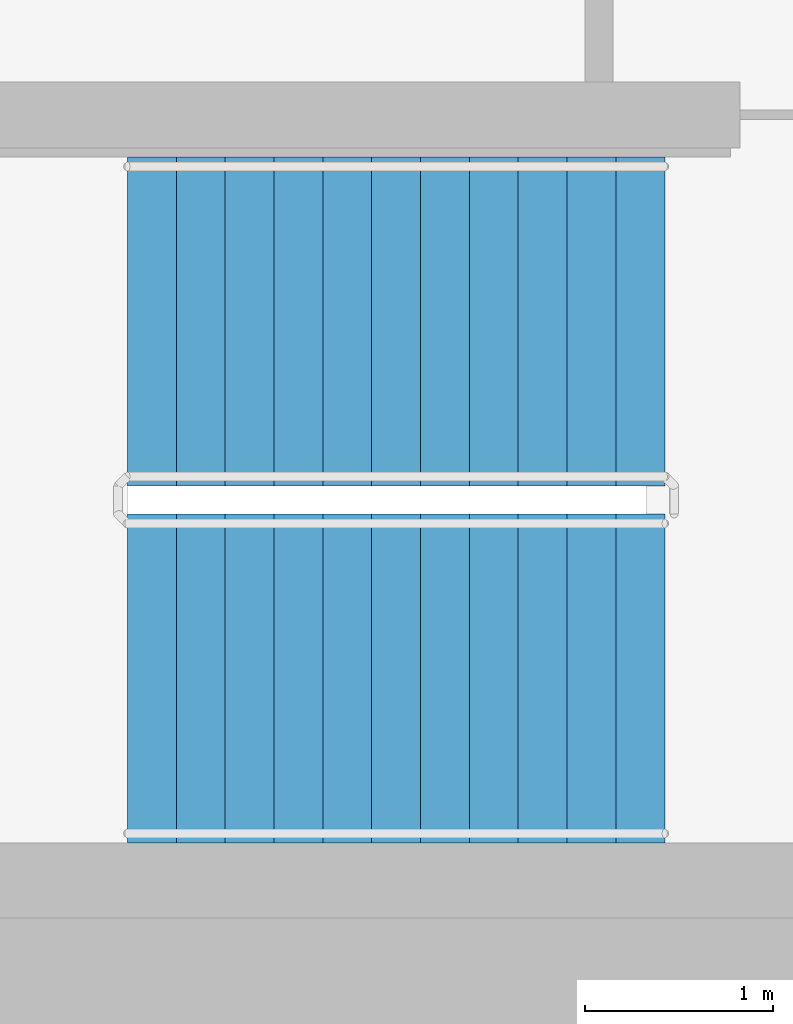
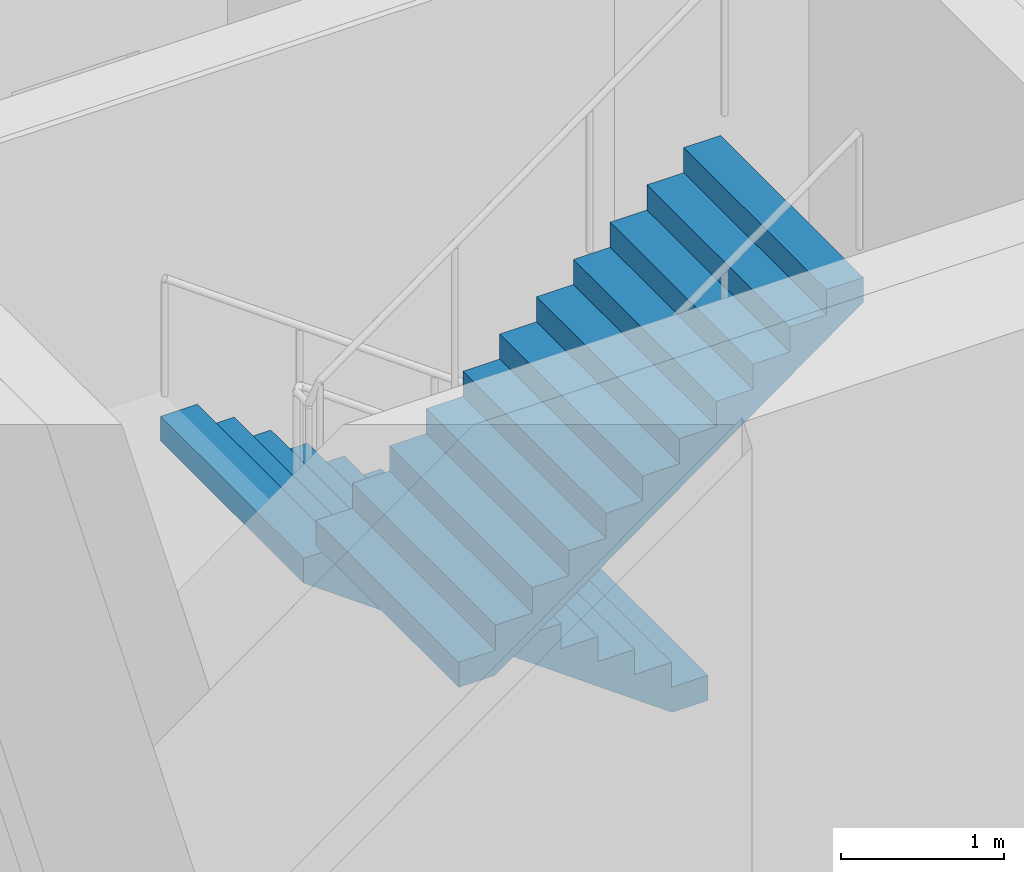
# One storey, part 18 of 26: 2 stair flights, 1 element without a shape of its own.
"""IFC4 building model written with IfcOpenShell, lengths in metres."""

from ifc_helpers import new_model, si_unit, direction, frame, origin, place, context, subcontext, project, spatial, faceted_brep, material, type_object, element, aggregate, save


model = new_model("IFC4")

# Units and contexts
model_context = context("Model", 3, precision=1e-05, world=origin(), true_north=direction((0.0, 1.0)))
body_context = subcontext(model_context, "Body", "Model", "MODEL_VIEW")
ifc_project = project(units=[si_unit("LENGTHUNIT", "METRE"), si_unit("AREAUNIT", "SQUARE_METRE"), si_unit("VOLUMEUNIT", "CUBIC_METRE"), si_unit("PLANEANGLEUNIT", "RADIAN"), si_unit("MASSUNIT", "GRAM", prefix="KILO")], contexts=[model_context])

# Site, building, storey
site_placement = place(None, origin())
site = spatial("IfcSite", under=ifc_project, at=site_placement, CompositionType="ELEMENT")
building_placement = place(site_placement, origin())
building = spatial("IfcBuilding", under=site, at=building_placement, Name="Ipe Terrace Towers", CompositionType="ELEMENT")
storey_placement = place(building_placement, frame((0.0, 0.0, 181.300048828125)))
storey = spatial("IfcBuildingStorey", under=building, at=storey_placement, Name="L50", CompositionType="ELEMENT", Elevation=181.300048828125)

# Stair, stair flights
ifc_material_1 = material(Name="Concrete C30/37", Category="concrete")
stair_type = type_object("IfcStairType", Name="Protected exit stair", PredefinedType="HALF_TURN_STAIR", material=ifc_material_1)
stair_placement = place(storey_placement, origin())
stair = element("IfcStair", 1, at=stair_placement, inside=storey, type_object=stair_type, Name="L50 Exit stair T1-C2", PredefinedType="HALF_TURN_STAIR")
ifc_material_2 = material(Name="Concrete C30/37", Category="concrete")
stair_flight_type = type_object("IfcStairFlightType", Name="Exit stair flight 1750", PredefinedType="STRAIGHT", material=ifc_material_2)
stair_flight_1_placement = place(storey_placement, frame((-45.699951171875, -2.77490234375, 0.0), z_axis=(0.0, 0.0, 1.0), x_axis=(-1.0, 0.0, 0.0)))
stair_flight_1 = element("IfcStairFlight", 2, at=stair_flight_1_placement, type_object=stair_flight_type, Name="T1-ST2 flight 1", NumberOfRisers=12, NumberOfTreads=11, PredefinedType="STRAIGHT", RiserHeight=0.1875, TreadLength=0.26, context=body_context, shape_type="Brep", body=[
    faceted_brep([(0.25634765625, -0.875, 0.0), (2.860107421875, -0.875, 1.877685546875), (2.860107421875, -0.875, 2.0625), (2.60009765625, -0.875, 2.0625), (2.60009765625, -0.875, 1.875), (2.340087890625, -0.875, 1.875), (2.340087890625, -0.875, 1.6875), (2.080078125, -0.875, 1.6875), (2.080078125, -0.875, 1.5), (1.820068359375, -0.875, 1.5), (1.820068359375, -0.875, 1.3125), (1.56005859375, -0.875, 1.3125), (1.56005859375, -0.875, 1.125), (1.300048828125, -0.875, 1.125), (1.300048828125, -0.875, 0.9375), (1.0400390625, -0.875, 0.9375), (1.0400390625, -0.875, 0.75), (0.780029296875, -0.875, 0.75), (0.780029296875, -0.875, 0.5625), (0.52001953125, -0.875, 0.5625), (0.52001953125, -0.875, 0.375), (0.260009765625, -0.875, 0.375), (0.260009765625, -0.875, 0.1875), (0.0, -0.875, 0.1875), (0.0, -0.875, 0.0), (0.0, 0.875, 0.0), (0.0, 0.875, 0.1875), (0.260009765625, 0.875, 0.1875), (0.260009765625, 0.875, 0.375), (0.52001953125, 0.875, 0.375), (0.52001953125, 0.875, 0.5625), (0.780029296875, 0.875, 0.5625), (0.780029296875, 0.875, 0.75), (1.0400390625, 0.875, 0.75), (1.0400390625, 0.875, 0.9375), (1.300048828125, 0.875, 0.9375), (1.300048828125, 0.875, 1.125), (1.56005859375, 0.875, 1.125), (1.56005859375, 0.875, 1.3125), (1.820068359375, 0.875, 1.3125), (1.820068359375, 0.875, 1.5), (2.080078125, 0.875, 1.5), (2.080078125, 0.875, 1.6875), (2.340087890625, 0.875, 1.6875), (2.340087890625, 0.875, 1.875), (2.60009765625, 0.875, 1.875), (2.60009765625, 0.875, 2.0625), (2.860107421875, 0.875, 2.0625), (2.860107421875, 0.875, 1.877685546875), (0.25634765625, 0.875, 0.0), (0.0, -0.300048828125, 0.1875), (0.0, -0.1201171875, 0.1875), (0.0, -0.06005859375, 0.1875), (0.0, -0.030029296875, 0.1875), (0.0, -0.010009765625, 0.1875), (0.0, 0.0, 0.1875), (0.0, 0.010009765625, 0.1875), (0.0, 0.030029296875, 0.1875), (0.0, 0.06005859375, 0.1875), (0.0, 0.1201171875, 0.1875), (0.0, 0.300048828125, 0.1875), (0.0, 0.300048828125, 0.0), (0.0, 0.1201171875, 0.0), (0.0, 0.06005859375, 0.0), (0.0, 0.030029296875, 0.0), (0.0, 0.010009765625, 0.0), (0.0, 0.0, 0.0), (0.0, -0.010009765625, 0.0), (0.0, -0.030029296875, 0.0), (0.0, -0.06005859375, 0.0), (0.0, -0.1201171875, 0.0), (0.0, -0.300048828125, 0.0), (0.260009765625, -0.300048828125, 0.1875), (0.260009765625, -0.1201171875, 0.1875), (0.260009765625, -0.06005859375, 0.1875), (0.260009765625, -0.030029296875, 0.1875), (0.260009765625, -0.010009765625, 0.1875), (0.260009765625, 0.0, 0.1875), (0.260009765625, 0.010009765625, 0.1875), (0.260009765625, 0.030029296875, 0.1875), (0.260009765625, 0.06005859375, 0.1875), (0.260009765625, 0.1201171875, 0.1875), (0.260009765625, 0.300048828125, 0.1875), (0.260009765625, -0.300048828125, 0.375), (0.260009765625, -0.1201171875, 0.375), (0.260009765625, -0.06005859375, 0.375), (0.260009765625, -0.030029296875, 0.375), (0.260009765625, -0.010009765625, 0.375), (0.260009765625, 0.0, 0.375), (0.260009765625, 0.010009765625, 0.375), (0.260009765625, 0.030029296875, 0.375), (0.260009765625, 0.06005859375, 0.375), (0.260009765625, 0.1201171875, 0.375), (0.260009765625, 0.300048828125, 0.375), (0.52001953125, -0.300048828125, 0.375), (0.52001953125, -0.1201171875, 0.375), (0.52001953125, -0.06005859375, 0.375), (0.52001953125, -0.030029296875, 0.375), (0.52001953125, -0.010009765625, 0.375), (0.52001953125, 0.0, 0.375), (0.52001953125, 0.010009765625, 0.375), (0.52001953125, 0.030029296875, 0.375), (0.52001953125, 0.06005859375, 0.375), (0.52001953125, 0.1201171875, 0.375), (0.52001953125, 0.300048828125, 0.375), (0.52001953125, -0.300048828125, 0.5625), (0.52001953125, -0.1201171875, 0.5625), (0.52001953125, -0.06005859375, 0.5625), (0.52001953125, -0.030029296875, 0.5625), (0.52001953125, -0.010009765625, 0.5625), (0.52001953125, 0.0, 0.5625), (0.52001953125, 0.010009765625, 0.5625), (0.52001953125, 0.030029296875, 0.5625), (0.52001953125, 0.06005859375, 0.5625), (0.52001953125, 0.1201171875, 0.5625), (0.52001953125, 0.300048828125, 0.5625), (0.780029296875, -0.300048828125, 0.5625), (0.780029296875, -0.1201171875, 0.5625), (0.780029296875, -0.06005859375, 0.5625), (0.780029296875, -0.030029296875, 0.5625), (0.780029296875, -0.010009765625, 0.5625), (0.780029296875, 0.0, 0.5625), (0.780029296875, 0.010009765625, 0.5625), (0.780029296875, 0.030029296875, 0.5625), (0.780029296875, 0.06005859375, 0.5625), (0.780029296875, 0.1201171875, 0.5625), (0.780029296875, 0.300048828125, 0.5625), (0.780029296875, -0.300048828125, 0.75), (0.780029296875, -0.1201171875, 0.75), (0.780029296875, -0.06005859375, 0.75), (0.780029296875, -0.030029296875, 0.75), (0.780029296875, -0.010009765625, 0.75), (0.780029296875, 0.0, 0.75), (0.780029296875, 0.010009765625, 0.75), (0.780029296875, 0.030029296875, 0.75), (0.780029296875, 0.06005859375, 0.75), (0.780029296875, 0.1201171875, 0.75), (0.780029296875, 0.300048828125, 0.75), (1.0400390625, -0.300048828125, 0.75), (1.0400390625, -0.1201171875, 0.75), (1.0400390625, -0.06005859375, 0.75), (1.0400390625, -0.030029296875, 0.75), (1.0400390625, -0.010009765625, 0.75), (1.0400390625, 0.0, 0.75), (1.0400390625, 0.010009765625, 0.75), (1.0400390625, 0.030029296875, 0.75), (1.0400390625, 0.06005859375, 0.75), (1.0400390625, 0.1201171875, 0.75), (1.0400390625, 0.300048828125, 0.75), (1.0400390625, -0.300048828125, 0.9375), (1.0400390625, -0.1201171875, 0.9375), (1.0400390625, -0.06005859375, 0.9375), (1.0400390625, -0.030029296875, 0.9375), (1.0400390625, -0.010009765625, 0.9375), (1.0400390625, 0.0, 0.9375), (1.0400390625, 0.010009765625, 0.9375), (1.0400390625, 0.030029296875, 0.9375), (1.0400390625, 0.06005859375, 0.9375), (1.0400390625, 0.1201171875, 0.9375), (1.0400390625, 0.300048828125, 0.9375), (1.300048828125, -0.300048828125, 0.9375), (1.300048828125, -0.1201171875, 0.9375), (1.300048828125, -0.06005859375, 0.9375), (1.300048828125, -0.030029296875, 0.9375), (1.300048828125, -0.010009765625, 0.9375), (1.300048828125, 0.0, 0.9375), (1.300048828125, 0.010009765625, 0.9375), (1.300048828125, 0.030029296875, 0.9375), (1.300048828125, 0.06005859375, 0.9375), (1.300048828125, 0.1201171875, 0.9375), (1.300048828125, 0.300048828125, 0.9375), (1.300048828125, -0.300048828125, 1.125), (1.300048828125, -0.1201171875, 1.125), (1.300048828125, -0.06005859375, 1.125), (1.300048828125, -0.030029296875, 1.125), (1.300048828125, -0.010009765625, 1.125), (1.300048828125, 0.0, 1.125), (1.300048828125, 0.010009765625, 1.125), (1.300048828125, 0.030029296875, 1.125), (1.300048828125, 0.06005859375, 1.125), (1.300048828125, 0.1201171875, 1.125), (1.300048828125, 0.300048828125, 1.125), (1.56005859375, -0.300048828125, 1.125), (1.56005859375, -0.1201171875, 1.125), (1.56005859375, -0.06005859375, 1.125), (1.56005859375, -0.030029296875, 1.125), (1.56005859375, -0.010009765625, 1.125), (1.56005859375, 0.0, 1.125), (1.56005859375, 0.010009765625, 1.125), (1.56005859375, 0.030029296875, 1.125), (1.56005859375, 0.06005859375, 1.125), (1.56005859375, 0.1201171875, 1.125), (1.56005859375, 0.300048828125, 1.125), (1.56005859375, -0.300048828125, 1.3125), (1.56005859375, -0.1201171875, 1.3125), (1.56005859375, -0.06005859375, 1.3125), (1.56005859375, -0.030029296875, 1.3125), (1.56005859375, -0.010009765625, 1.3125), (1.56005859375, 0.0, 1.3125), (1.56005859375, 0.010009765625, 1.3125), (1.56005859375, 0.030029296875, 1.3125), (1.56005859375, 0.06005859375, 1.3125), (1.56005859375, 0.1201171875, 1.3125), (1.56005859375, 0.300048828125, 1.3125), (1.820068359375, -0.300048828125, 1.3125), (1.820068359375, -0.1201171875, 1.3125), (1.820068359375, -0.06005859375, 1.3125), (1.820068359375, -0.030029296875, 1.3125), (1.820068359375, -0.010009765625, 1.3125), (1.820068359375, 0.0, 1.3125), (1.820068359375, 0.010009765625, 1.3125), (1.820068359375, 0.030029296875, 1.3125), (1.820068359375, 0.06005859375, 1.3125), (1.820068359375, 0.1201171875, 1.3125), (1.820068359375, 0.300048828125, 1.3125), (1.820068359375, -0.300048828125, 1.5), (1.820068359375, -0.1201171875, 1.5), (1.820068359375, -0.06005859375, 1.5), (1.820068359375, -0.030029296875, 1.5), (1.820068359375, -0.010009765625, 1.5), (1.820068359375, 0.0, 1.5), (1.820068359375, 0.010009765625, 1.5), (1.820068359375, 0.030029296875, 1.5), (1.820068359375, 0.06005859375, 1.5), (1.820068359375, 0.1201171875, 1.5), (1.820068359375, 0.300048828125, 1.5), (2.080078125, -0.300048828125, 1.5), (2.080078125, -0.1201171875, 1.5), (2.080078125, -0.06005859375, 1.5), (2.080078125, -0.030029296875, 1.5), (2.080078125, -0.010009765625, 1.5), (2.080078125, 0.0, 1.5), (2.080078125, 0.010009765625, 1.5), (2.080078125, 0.030029296875, 1.5), (2.080078125, 0.06005859375, 1.5), (2.080078125, 0.1201171875, 1.5), (2.080078125, 0.300048828125, 1.5), (2.080078125, -0.300048828125, 1.6875), (2.080078125, -0.1201171875, 1.6875), (2.080078125, -0.06005859375, 1.6875), (2.080078125, -0.030029296875, 1.6875), (2.080078125, -0.010009765625, 1.6875), (2.080078125, 0.0, 1.6875), (2.080078125, 0.010009765625, 1.6875), (2.080078125, 0.030029296875, 1.6875), (2.080078125, 0.06005859375, 1.6875), (2.080078125, 0.1201171875, 1.6875), (2.080078125, 0.300048828125, 1.6875), (2.340087890625, -0.300048828125, 1.6875), (2.340087890625, -0.1201171875, 1.6875), (2.340087890625, -0.06005859375, 1.6875), (2.340087890625, -0.030029296875, 1.6875), (2.340087890625, -0.010009765625, 1.6875), (2.340087890625, 0.0, 1.6875), (2.340087890625, 0.010009765625, 1.6875), (2.340087890625, 0.030029296875, 1.6875), (2.340087890625, 0.06005859375, 1.6875), (2.340087890625, 0.1201171875, 1.6875), (2.340087890625, 0.300048828125, 1.6875), (2.340087890625, -0.300048828125, 1.875), (2.340087890625, -0.1201171875, 1.875), (2.340087890625, -0.06005859375, 1.875), (2.340087890625, -0.030029296875, 1.875), (2.340087890625, -0.010009765625, 1.875), (2.340087890625, 0.0, 1.875), (2.340087890625, 0.010009765625, 1.875), (2.340087890625, 0.030029296875, 1.875), (2.340087890625, 0.06005859375, 1.875), (2.340087890625, 0.1201171875, 1.875), (2.340087890625, 0.300048828125, 1.875), (2.60009765625, -0.300048828125, 1.875), (2.60009765625, -0.1201171875, 1.875), (2.60009765625, -0.06005859375, 1.875), (2.60009765625, -0.030029296875, 1.875), (2.60009765625, -0.010009765625, 1.875), (2.60009765625, 0.0, 1.875), (2.60009765625, 0.010009765625, 1.875), (2.60009765625, 0.030029296875, 1.875), (2.60009765625, 0.06005859375, 1.875), (2.60009765625, 0.1201171875, 1.875), (2.60009765625, 0.300048828125, 1.875), (2.60009765625, -0.300048828125, 2.0625), (2.60009765625, -0.1201171875, 2.0625), (2.60009765625, -0.06005859375, 2.0625), (2.60009765625, -0.030029296875, 2.0625), (2.60009765625, -0.010009765625, 2.0625), (2.60009765625, 0.0, 2.0625), (2.60009765625, 0.010009765625, 2.0625), (2.60009765625, 0.030029296875, 2.0625), (2.60009765625, 0.06005859375, 2.0625), (2.60009765625, 0.1201171875, 2.0625), (2.60009765625, 0.300048828125, 2.0625), (2.860107421875, -0.300048828125, 2.0625), (2.860107421875, -0.1201171875, 2.0625), (2.860107421875, -0.06005859375, 2.0625), (2.860107421875, -0.030029296875, 2.0625), (2.860107421875, -0.010009765625, 2.0625), (2.860107421875, 0.0, 2.0625), (2.860107421875, 0.010009765625, 2.0625), (2.860107421875, 0.030029296875, 2.0625), (2.860107421875, 0.06005859375, 2.0625), (2.860107421875, 0.1201171875, 2.0625), (2.860107421875, 0.300048828125, 2.0625), (2.860107421875, -0.300048828125, 1.877685546875), (2.860107421875, -0.1201171875, 1.877685546875), (2.860107421875, -0.06005859375, 1.877685546875), (2.860107421875, -0.030029296875, 1.877685546875), (2.860107421875, -0.010009765625, 1.877685546875), (2.860107421875, 0.0, 1.877685546875), (2.860107421875, 0.010009765625, 1.877685546875), (2.860107421875, 0.030029296875, 1.877685546875), (2.860107421875, 0.06005859375, 1.877685546875), (2.860107421875, 0.1201171875, 1.877685546875), (2.860107421875, 0.300048828125, 1.877685546875), (0.25634765625, -0.300048828125, 0.0), (0.25634765625, -0.1201171875, 0.0), (0.25634765625, -0.06005859375, 0.0), (0.25634765625, -0.030029296875, 0.0), (0.25634765625, -0.010009765625, 0.0), (0.25634765625, 0.0, 0.0), (0.25634765625, 0.010009765625, 0.0), (0.25634765625, 0.030029296875, 0.0), (0.25634765625, 0.06005859375, 0.0), (0.25634765625, 0.1201171875, 0.0), (0.25634765625, 0.300048828125, 0.0)], [[[0, 1, 2, 3, 4, 5, 6, 7, 8, 9, 10, 11, 12, 13, 14, 15, 16, 17, 18, 19, 20, 21, 22, 23, 24]], [[25, 26, 27, 28, 29, 30, 31, 32, 33, 34, 35, 36, 37, 38, 39, 40, 41, 42, 43, 44, 45, 46, 47, 48, 49]], [[23, 50, 51, 52, 53, 54, 55, 56, 57, 58, 59, 60, 26, 25, 61, 62, 63, 64, 65, 66, 67, 68, 69, 70, 71, 24]], [[22, 72, 73, 74, 75, 76, 77, 78, 79, 80, 81, 82, 27, 26, 60, 59, 58, 57, 56, 55, 54, 53, 52, 51, 50, 23]], [[21, 83, 84, 85, 86, 87, 88, 89, 90, 91, 92, 93, 28, 27, 82, 81, 80, 79, 78, 77, 76, 75, 74, 73, 72, 22]], [[20, 94, 95, 96, 97, 98, 99, 100, 101, 102, 103, 104, 29, 28, 93, 92, 91, 90, 89, 88, 87, 86, 85, 84, 83, 21]], [[19, 105, 106, 107, 108, 109, 110, 111, 112, 113, 114, 115, 30, 29, 104, 103, 102, 101, 100, 99, 98, 97, 96, 95, 94, 20]], [[18, 116, 117, 118, 119, 120, 121, 122, 123, 124, 125, 126, 31, 30, 115, 114, 113, 112, 111, 110, 109, 108, 107, 106, 105, 19]], [[17, 127, 128, 129, 130, 131, 132, 133, 134, 135, 136, 137, 32, 31, 126, 125, 124, 123, 122, 121, 120, 119, 118, 117, 116, 18]], [[16, 138, 139, 140, 141, 142, 143, 144, 145, 146, 147, 148, 33, 32, 137, 136, 135, 134, 133, 132, 131, 130, 129, 128, 127, 17]], [[15, 149, 150, 151, 152, 153, 154, 155, 156, 157, 158, 159, 34, 33, 148, 147, 146, 145, 144, 143, 142, 141, 140, 139, 138, 16]], [[14, 160, 161, 162, 163, 164, 165, 166, 167, 168, 169, 170, 35, 34, 159, 158, 157, 156, 155, 154, 153, 152, 151, 150, 149, 15]], [[13, 171, 172, 173, 174, 175, 176, 177, 178, 179, 180, 181, 36, 35, 170, 169, 168, 167, 166, 165, 164, 163, 162, 161, 160, 14]], [[12, 182, 183, 184, 185, 186, 187, 188, 189, 190, 191, 192, 37, 36, 181, 180, 179, 178, 177, 176, 175, 174, 173, 172, 171, 13]], [[11, 193, 194, 195, 196, 197, 198, 199, 200, 201, 202, 203, 38, 37, 192, 191, 190, 189, 188, 187, 186, 185, 184, 183, 182, 12]], [[10, 204, 205, 206, 207, 208, 209, 210, 211, 212, 213, 214, 39, 38, 203, 202, 201, 200, 199, 198, 197, 196, 195, 194, 193, 11]], [[9, 215, 216, 217, 218, 219, 220, 221, 222, 223, 224, 225, 40, 39, 214, 213, 212, 211, 210, 209, 208, 207, 206, 205, 204, 10]], [[8, 226, 227, 228, 229, 230, 231, 232, 233, 234, 235, 236, 41, 40, 225, 224, 223, 222, 221, 220, 219, 218, 217, 216, 215, 9]], [[7, 237, 238, 239, 240, 241, 242, 243, 244, 245, 246, 247, 42, 41, 236, 235, 234, 233, 232, 231, 230, 229, 228, 227, 226, 8]], [[6, 248, 249, 250, 251, 252, 253, 254, 255, 256, 257, 258, 43, 42, 247, 246, 245, 244, 243, 242, 241, 240, 239, 238, 237, 7]], [[5, 259, 260, 261, 262, 263, 264, 265, 266, 267, 268, 269, 44, 43, 258, 257, 256, 255, 254, 253, 252, 251, 250, 249, 248, 6]], [[4, 270, 271, 272, 273, 274, 275, 276, 277, 278, 279, 280, 45, 44, 269, 268, 267, 266, 265, 264, 263, 262, 261, 260, 259, 5]], [[3, 281, 282, 283, 284, 285, 286, 287, 288, 289, 290, 291, 46, 45, 280, 279, 278, 277, 276, 275, 274, 273, 272, 271, 270, 4]], [[2, 292, 293, 294, 295, 296, 297, 298, 299, 300, 301, 302, 47, 46, 291, 290, 289, 288, 287, 286, 285, 284, 283, 282, 281, 3]], [[1, 303, 304, 305, 306, 307, 308, 309, 310, 311, 312, 313, 48, 47, 302, 301, 300, 299, 298, 297, 296, 295, 294, 293, 292, 2]], [[0, 314, 315, 316, 317, 318, 319, 320, 321, 322, 323, 324, 49, 48, 313, 312, 311, 310, 309, 308, 307, 306, 305, 304, 303, 1]], [[24, 71, 70, 69, 68, 67, 66, 65, 64, 63, 62, 61, 25, 49, 324, 323, 322, 321, 320, 319, 318, 317, 316, 315, 314, 0]]]),
])
stair_flight_2_placement = place(storey_placement, frame((-48.56005859375, -4.675048828125, 2.25), z_axis=(0.0, 0.0, 1.0), x_axis=(1.0, 0.0, 0.0)))
stair_flight_2 = element("IfcStairFlight", 3, at=stair_flight_2_placement, type_object=stair_flight_type, Name="T1-ST2 flight 2", NumberOfRisers=12, NumberOfTreads=11, PredefinedType="STRAIGHT", RiserHeight=0.1875, TreadLength=0.26, context=body_context, shape_type="Brep", body=[
    faceted_brep([(0.25634765625, -0.875, 0.0), (2.860107421875, -0.875, 1.877685546875), (2.860107421875, -0.875, 2.0625), (2.60009765625, -0.875, 2.0625), (2.60009765625, -0.875, 1.875), (2.340087890625, -0.875, 1.875), (2.340087890625, -0.875, 1.6875), (2.080078125, -0.875, 1.6875), (2.080078125, -0.875, 1.5), (1.820068359375, -0.875, 1.5), (1.820068359375, -0.875, 1.3125), (1.56005859375, -0.875, 1.3125), (1.56005859375, -0.875, 1.125), (1.300048828125, -0.875, 1.125), (1.300048828125, -0.875, 0.9375), (1.0400390625, -0.875, 0.9375), (1.0400390625, -0.875, 0.75), (0.780029296875, -0.875, 0.75), (0.780029296875, -0.875, 0.5625), (0.52001953125, -0.875, 0.5625), (0.52001953125, -0.875, 0.375), (0.260009765625, -0.875, 0.375), (0.260009765625, -0.875, 0.1875), (0.0, -0.875, 0.1875), (0.0, -0.875, 0.0), (0.0, 0.875, 0.0), (0.0, 0.875, 0.1875), (0.260009765625, 0.875, 0.1875), (0.260009765625, 0.875, 0.375), (0.52001953125, 0.875, 0.375), (0.52001953125, 0.875, 0.5625), (0.780029296875, 0.875, 0.5625), (0.780029296875, 0.875, 0.75), (1.0400390625, 0.875, 0.75), (1.0400390625, 0.875, 0.9375), (1.300048828125, 0.875, 0.9375), (1.300048828125, 0.875, 1.125), (1.56005859375, 0.875, 1.125), (1.56005859375, 0.875, 1.3125), (1.820068359375, 0.875, 1.3125), (1.820068359375, 0.875, 1.5), (2.080078125, 0.875, 1.5), (2.080078125, 0.875, 1.6875), (2.340087890625, 0.875, 1.6875), (2.340087890625, 0.875, 1.875), (2.60009765625, 0.875, 1.875), (2.60009765625, 0.875, 2.0625), (2.860107421875, 0.875, 2.0625), (2.860107421875, 0.875, 1.877685546875), (0.25634765625, 0.875, 0.0), (0.0, -0.300048828125, 0.1875), (0.0, -0.1201171875, 0.1875), (0.0, -0.06005859375, 0.1875), (0.0, -0.030029296875, 0.1875), (0.0, -0.010009765625, 0.1875), (0.0, 0.0, 0.1875), (0.0, 0.010009765625, 0.1875), (0.0, 0.030029296875, 0.1875), (0.0, 0.06005859375, 0.1875), (0.0, 0.1201171875, 0.1875), (0.0, 0.300048828125, 0.1875), (0.0, 0.300048828125, 0.0), (0.0, 0.1201171875, 0.0), (0.0, 0.06005859375, 0.0), (0.0, 0.030029296875, 0.0), (0.0, 0.010009765625, 0.0), (0.0, 0.0, 0.0), (0.0, -0.010009765625, 0.0), (0.0, -0.030029296875, 0.0), (0.0, -0.06005859375, 0.0), (0.0, -0.1201171875, 0.0), (0.0, -0.300048828125, 0.0), (0.260009765625, -0.300048828125, 0.1875), (0.260009765625, -0.1201171875, 0.1875), (0.260009765625, -0.06005859375, 0.1875), (0.260009765625, -0.030029296875, 0.1875), (0.260009765625, -0.010009765625, 0.1875), (0.260009765625, 0.0, 0.1875), (0.260009765625, 0.010009765625, 0.1875), (0.260009765625, 0.030029296875, 0.1875), (0.260009765625, 0.06005859375, 0.1875), (0.260009765625, 0.1201171875, 0.1875), (0.260009765625, 0.300048828125, 0.1875), (0.260009765625, -0.300048828125, 0.375), (0.260009765625, -0.1201171875, 0.375), (0.260009765625, -0.06005859375, 0.375), (0.260009765625, -0.030029296875, 0.375), (0.260009765625, -0.010009765625, 0.375), (0.260009765625, 0.0, 0.375), (0.260009765625, 0.010009765625, 0.375), (0.260009765625, 0.030029296875, 0.375), (0.260009765625, 0.06005859375, 0.375), (0.260009765625, 0.1201171875, 0.375), (0.260009765625, 0.300048828125, 0.375), (0.52001953125, -0.300048828125, 0.375), (0.52001953125, -0.1201171875, 0.375), (0.52001953125, -0.06005859375, 0.375), (0.52001953125, -0.030029296875, 0.375), (0.52001953125, -0.010009765625, 0.375), (0.52001953125, 0.0, 0.375), (0.52001953125, 0.010009765625, 0.375), (0.52001953125, 0.030029296875, 0.375), (0.52001953125, 0.06005859375, 0.375), (0.52001953125, 0.1201171875, 0.375), (0.52001953125, 0.300048828125, 0.375), (0.52001953125, -0.300048828125, 0.5625), (0.52001953125, -0.1201171875, 0.5625), (0.52001953125, -0.06005859375, 0.5625), (0.52001953125, -0.030029296875, 0.5625), (0.52001953125, -0.010009765625, 0.5625), (0.52001953125, 0.0, 0.5625), (0.52001953125, 0.010009765625, 0.5625), (0.52001953125, 0.030029296875, 0.5625), (0.52001953125, 0.06005859375, 0.5625), (0.52001953125, 0.1201171875, 0.5625), (0.52001953125, 0.300048828125, 0.5625), (0.780029296875, -0.300048828125, 0.5625), (0.780029296875, -0.1201171875, 0.5625), (0.780029296875, -0.06005859375, 0.5625), (0.780029296875, -0.030029296875, 0.5625), (0.780029296875, -0.010009765625, 0.5625), (0.780029296875, 0.0, 0.5625), (0.780029296875, 0.010009765625, 0.5625), (0.780029296875, 0.030029296875, 0.5625), (0.780029296875, 0.06005859375, 0.5625), (0.780029296875, 0.1201171875, 0.5625), (0.780029296875, 0.300048828125, 0.5625), (0.780029296875, -0.300048828125, 0.75), (0.780029296875, -0.1201171875, 0.75), (0.780029296875, -0.06005859375, 0.75), (0.780029296875, -0.030029296875, 0.75), (0.780029296875, -0.010009765625, 0.75), (0.780029296875, 0.0, 0.75), (0.780029296875, 0.010009765625, 0.75), (0.780029296875, 0.030029296875, 0.75), (0.780029296875, 0.06005859375, 0.75), (0.780029296875, 0.1201171875, 0.75), (0.780029296875, 0.300048828125, 0.75), (1.0400390625, -0.300048828125, 0.75), (1.0400390625, -0.1201171875, 0.75), (1.0400390625, -0.06005859375, 0.75), (1.0400390625, -0.030029296875, 0.75), (1.0400390625, -0.010009765625, 0.75), (1.0400390625, 0.0, 0.75), (1.0400390625, 0.010009765625, 0.75), (1.0400390625, 0.030029296875, 0.75), (1.0400390625, 0.06005859375, 0.75), (1.0400390625, 0.1201171875, 0.75), (1.0400390625, 0.300048828125, 0.75), (1.0400390625, -0.300048828125, 0.9375), (1.0400390625, -0.1201171875, 0.9375), (1.0400390625, -0.06005859375, 0.9375), (1.0400390625, -0.030029296875, 0.9375), (1.0400390625, -0.010009765625, 0.9375), (1.0400390625, 0.0, 0.9375), (1.0400390625, 0.010009765625, 0.9375), (1.0400390625, 0.030029296875, 0.9375), (1.0400390625, 0.06005859375, 0.9375), (1.0400390625, 0.1201171875, 0.9375), (1.0400390625, 0.300048828125, 0.9375), (1.300048828125, -0.300048828125, 0.9375), (1.300048828125, -0.1201171875, 0.9375), (1.300048828125, -0.06005859375, 0.9375), (1.300048828125, -0.030029296875, 0.9375), (1.300048828125, -0.010009765625, 0.9375), (1.300048828125, 0.0, 0.9375), (1.300048828125, 0.010009765625, 0.9375), (1.300048828125, 0.030029296875, 0.9375), (1.300048828125, 0.06005859375, 0.9375), (1.300048828125, 0.1201171875, 0.9375), (1.300048828125, 0.300048828125, 0.9375), (1.300048828125, -0.300048828125, 1.125), (1.300048828125, -0.1201171875, 1.125), (1.300048828125, -0.06005859375, 1.125), (1.300048828125, -0.030029296875, 1.125), (1.300048828125, -0.010009765625, 1.125), (1.300048828125, 0.0, 1.125), (1.300048828125, 0.010009765625, 1.125), (1.300048828125, 0.030029296875, 1.125), (1.300048828125, 0.06005859375, 1.125), (1.300048828125, 0.1201171875, 1.125), (1.300048828125, 0.300048828125, 1.125), (1.56005859375, -0.300048828125, 1.125), (1.56005859375, -0.1201171875, 1.125), (1.56005859375, -0.06005859375, 1.125), (1.56005859375, -0.030029296875, 1.125), (1.56005859375, -0.010009765625, 1.125), (1.56005859375, 0.0, 1.125), (1.56005859375, 0.010009765625, 1.125), (1.56005859375, 0.030029296875, 1.125), (1.56005859375, 0.06005859375, 1.125), (1.56005859375, 0.1201171875, 1.125), (1.56005859375, 0.300048828125, 1.125), (1.56005859375, -0.300048828125, 1.3125), (1.56005859375, -0.1201171875, 1.3125), (1.56005859375, -0.06005859375, 1.3125), (1.56005859375, -0.030029296875, 1.3125), (1.56005859375, -0.010009765625, 1.3125), (1.56005859375, 0.0, 1.3125), (1.56005859375, 0.010009765625, 1.3125), (1.56005859375, 0.030029296875, 1.3125), (1.56005859375, 0.06005859375, 1.3125), (1.56005859375, 0.1201171875, 1.3125), (1.56005859375, 0.300048828125, 1.3125), (1.820068359375, -0.300048828125, 1.3125), (1.820068359375, -0.1201171875, 1.3125), (1.820068359375, -0.06005859375, 1.3125), (1.820068359375, -0.030029296875, 1.3125), (1.820068359375, -0.010009765625, 1.3125), (1.820068359375, 0.0, 1.3125), (1.820068359375, 0.010009765625, 1.3125), (1.820068359375, 0.030029296875, 1.3125), (1.820068359375, 0.06005859375, 1.3125), (1.820068359375, 0.1201171875, 1.3125), (1.820068359375, 0.300048828125, 1.3125), (1.820068359375, -0.300048828125, 1.5), (1.820068359375, -0.1201171875, 1.5), (1.820068359375, -0.06005859375, 1.5), (1.820068359375, -0.030029296875, 1.5), (1.820068359375, -0.010009765625, 1.5), (1.820068359375, 0.0, 1.5), (1.820068359375, 0.010009765625, 1.5), (1.820068359375, 0.030029296875, 1.5), (1.820068359375, 0.06005859375, 1.5), (1.820068359375, 0.1201171875, 1.5), (1.820068359375, 0.300048828125, 1.5), (2.080078125, -0.300048828125, 1.5), (2.080078125, -0.1201171875, 1.5), (2.080078125, -0.06005859375, 1.5), (2.080078125, -0.030029296875, 1.5), (2.080078125, -0.010009765625, 1.5), (2.080078125, 0.0, 1.5), (2.080078125, 0.010009765625, 1.5), (2.080078125, 0.030029296875, 1.5), (2.080078125, 0.06005859375, 1.5), (2.080078125, 0.1201171875, 1.5), (2.080078125, 0.300048828125, 1.5), (2.080078125, -0.300048828125, 1.6875), (2.080078125, -0.1201171875, 1.6875), (2.080078125, -0.06005859375, 1.6875), (2.080078125, -0.030029296875, 1.6875), (2.080078125, -0.010009765625, 1.6875), (2.080078125, 0.0, 1.6875), (2.080078125, 0.010009765625, 1.6875), (2.080078125, 0.030029296875, 1.6875), (2.080078125, 0.06005859375, 1.6875), (2.080078125, 0.1201171875, 1.6875), (2.080078125, 0.300048828125, 1.6875), (2.340087890625, -0.300048828125, 1.6875), (2.340087890625, -0.1201171875, 1.6875), (2.340087890625, -0.06005859375, 1.6875), (2.340087890625, -0.030029296875, 1.6875), (2.340087890625, -0.010009765625, 1.6875), (2.340087890625, 0.0, 1.6875), (2.340087890625, 0.010009765625, 1.6875), (2.340087890625, 0.030029296875, 1.6875), (2.340087890625, 0.06005859375, 1.6875), (2.340087890625, 0.1201171875, 1.6875), (2.340087890625, 0.300048828125, 1.6875), (2.340087890625, -0.300048828125, 1.875), (2.340087890625, -0.1201171875, 1.875), (2.340087890625, -0.06005859375, 1.875), (2.340087890625, -0.030029296875, 1.875), (2.340087890625, -0.010009765625, 1.875), (2.340087890625, 0.0, 1.875), (2.340087890625, 0.010009765625, 1.875), (2.340087890625, 0.030029296875, 1.875), (2.340087890625, 0.06005859375, 1.875), (2.340087890625, 0.1201171875, 1.875), (2.340087890625, 0.300048828125, 1.875), (2.60009765625, -0.300048828125, 1.875), (2.60009765625, -0.1201171875, 1.875), (2.60009765625, -0.06005859375, 1.875), (2.60009765625, -0.030029296875, 1.875), (2.60009765625, -0.010009765625, 1.875), (2.60009765625, 0.0, 1.875), (2.60009765625, 0.010009765625, 1.875), (2.60009765625, 0.030029296875, 1.875), (2.60009765625, 0.06005859375, 1.875), (2.60009765625, 0.1201171875, 1.875), (2.60009765625, 0.300048828125, 1.875), (2.60009765625, -0.300048828125, 2.0625), (2.60009765625, -0.1201171875, 2.0625), (2.60009765625, -0.06005859375, 2.0625), (2.60009765625, -0.030029296875, 2.0625), (2.60009765625, -0.010009765625, 2.0625), (2.60009765625, 0.0, 2.0625), (2.60009765625, 0.010009765625, 2.0625), (2.60009765625, 0.030029296875, 2.0625), (2.60009765625, 0.06005859375, 2.0625), (2.60009765625, 0.1201171875, 2.0625), (2.60009765625, 0.300048828125, 2.0625), (2.860107421875, -0.300048828125, 2.0625), (2.860107421875, -0.1201171875, 2.0625), (2.860107421875, -0.06005859375, 2.0625), (2.860107421875, -0.030029296875, 2.0625), (2.860107421875, -0.010009765625, 2.0625), (2.860107421875, 0.0, 2.0625), (2.860107421875, 0.010009765625, 2.0625), (2.860107421875, 0.030029296875, 2.0625), (2.860107421875, 0.06005859375, 2.0625), (2.860107421875, 0.1201171875, 2.0625), (2.860107421875, 0.300048828125, 2.0625), (2.860107421875, -0.300048828125, 1.877685546875), (2.860107421875, -0.1201171875, 1.877685546875), (2.860107421875, -0.06005859375, 1.877685546875), (2.860107421875, -0.030029296875, 1.877685546875), (2.860107421875, -0.010009765625, 1.877685546875), (2.860107421875, 0.0, 1.877685546875), (2.860107421875, 0.010009765625, 1.877685546875), (2.860107421875, 0.030029296875, 1.877685546875), (2.860107421875, 0.06005859375, 1.877685546875), (2.860107421875, 0.1201171875, 1.877685546875), (2.860107421875, 0.300048828125, 1.877685546875), (0.25634765625, -0.300048828125, 0.0), (0.25634765625, -0.1201171875, 0.0), (0.25634765625, -0.06005859375, 0.0), (0.25634765625, -0.030029296875, 0.0), (0.25634765625, -0.010009765625, 0.0), (0.25634765625, 0.0, 0.0), (0.25634765625, 0.010009765625, 0.0), (0.25634765625, 0.030029296875, 0.0), (0.25634765625, 0.06005859375, 0.0), (0.25634765625, 0.1201171875, 0.0), (0.25634765625, 0.300048828125, 0.0)], [[[0, 1, 2, 3, 4, 5, 6, 7, 8, 9, 10, 11, 12, 13, 14, 15, 16, 17, 18, 19, 20, 21, 22, 23, 24]], [[25, 26, 27, 28, 29, 30, 31, 32, 33, 34, 35, 36, 37, 38, 39, 40, 41, 42, 43, 44, 45, 46, 47, 48, 49]], [[23, 50, 51, 52, 53, 54, 55, 56, 57, 58, 59, 60, 26, 25, 61, 62, 63, 64, 65, 66, 67, 68, 69, 70, 71, 24]], [[22, 72, 73, 74, 75, 76, 77, 78, 79, 80, 81, 82, 27, 26, 60, 59, 58, 57, 56, 55, 54, 53, 52, 51, 50, 23]], [[21, 83, 84, 85, 86, 87, 88, 89, 90, 91, 92, 93, 28, 27, 82, 81, 80, 79, 78, 77, 76, 75, 74, 73, 72, 22]], [[20, 94, 95, 96, 97, 98, 99, 100, 101, 102, 103, 104, 29, 28, 93, 92, 91, 90, 89, 88, 87, 86, 85, 84, 83, 21]], [[19, 105, 106, 107, 108, 109, 110, 111, 112, 113, 114, 115, 30, 29, 104, 103, 102, 101, 100, 99, 98, 97, 96, 95, 94, 20]], [[18, 116, 117, 118, 119, 120, 121, 122, 123, 124, 125, 126, 31, 30, 115, 114, 113, 112, 111, 110, 109, 108, 107, 106, 105, 19]], [[17, 127, 128, 129, 130, 131, 132, 133, 134, 135, 136, 137, 32, 31, 126, 125, 124, 123, 122, 121, 120, 119, 118, 117, 116, 18]], [[16, 138, 139, 140, 141, 142, 143, 144, 145, 146, 147, 148, 33, 32, 137, 136, 135, 134, 133, 132, 131, 130, 129, 128, 127, 17]], [[15, 149, 150, 151, 152, 153, 154, 155, 156, 157, 158, 159, 34, 33, 148, 147, 146, 145, 144, 143, 142, 141, 140, 139, 138, 16]], [[14, 160, 161, 162, 163, 164, 165, 166, 167, 168, 169, 170, 35, 34, 159, 158, 157, 156, 155, 154, 153, 152, 151, 150, 149, 15]], [[13, 171, 172, 173, 174, 175, 176, 177, 178, 179, 180, 181, 36, 35, 170, 169, 168, 167, 166, 165, 164, 163, 162, 161, 160, 14]], [[12, 182, 183, 184, 185, 186, 187, 188, 189, 190, 191, 192, 37, 36, 181, 180, 179, 178, 177, 176, 175, 174, 173, 172, 171, 13]], [[11, 193, 194, 195, 196, 197, 198, 199, 200, 201, 202, 203, 38, 37, 192, 191, 190, 189, 188, 187, 186, 185, 184, 183, 182, 12]], [[10, 204, 205, 206, 207, 208, 209, 210, 211, 212, 213, 214, 39, 38, 203, 202, 201, 200, 199, 198, 197, 196, 195, 194, 193, 11]], [[9, 215, 216, 217, 218, 219, 220, 221, 222, 223, 224, 225, 40, 39, 214, 213, 212, 211, 210, 209, 208, 207, 206, 205, 204, 10]], [[8, 226, 227, 228, 229, 230, 231, 232, 233, 234, 235, 236, 41, 40, 225, 224, 223, 222, 221, 220, 219, 218, 217, 216, 215, 9]], [[7, 237, 238, 239, 240, 241, 242, 243, 244, 245, 246, 247, 42, 41, 236, 235, 234, 233, 232, 231, 230, 229, 228, 227, 226, 8]], [[6, 248, 249, 250, 251, 252, 253, 254, 255, 256, 257, 258, 43, 42, 247, 246, 245, 244, 243, 242, 241, 240, 239, 238, 237, 7]], [[5, 259, 260, 261, 262, 263, 264, 265, 266, 267, 268, 269, 44, 43, 258, 257, 256, 255, 254, 253, 252, 251, 250, 249, 248, 6]], [[4, 270, 271, 272, 273, 274, 275, 276, 277, 278, 279, 280, 45, 44, 269, 268, 267, 266, 265, 264, 263, 262, 261, 260, 259, 5]], [[3, 281, 282, 283, 284, 285, 286, 287, 288, 289, 290, 291, 46, 45, 280, 279, 278, 277, 276, 275, 274, 273, 272, 271, 270, 4]], [[2, 292, 293, 294, 295, 296, 297, 298, 299, 300, 301, 302, 47, 46, 291, 290, 289, 288, 287, 286, 285, 284, 283, 282, 281, 3]], [[1, 303, 304, 305, 306, 307, 308, 309, 310, 311, 312, 313, 48, 47, 302, 301, 300, 299, 298, 297, 296, 295, 294, 293, 292, 2]], [[0, 314, 315, 316, 317, 318, 319, 320, 321, 322, 323, 324, 49, 48, 313, 312, 311, 310, 309, 308, 307, 306, 305, 304, 303, 1]], [[24, 71, 70, 69, 68, 67, 66, 65, 64, 63, 62, 61, 25, 49, 324, 323, 322, 321, 320, 319, 318, 317, 316, 315, 314, 0]]]),
])
aggregate(stair, [stair_flight_1, stair_flight_2])

save(model, "model.ifc")
